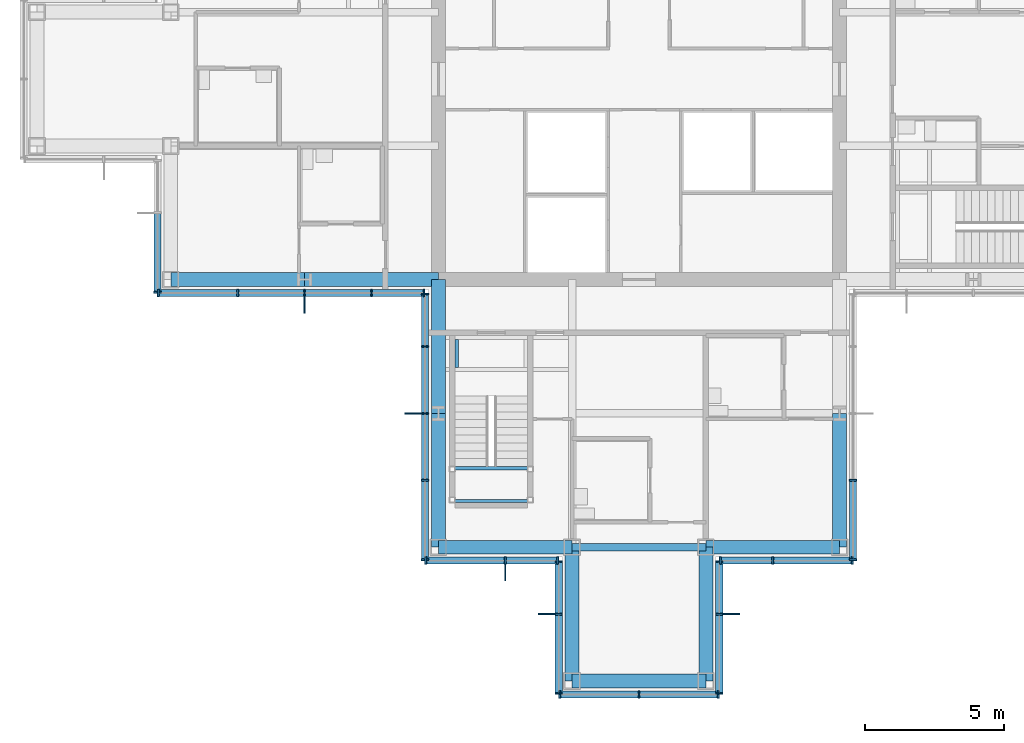
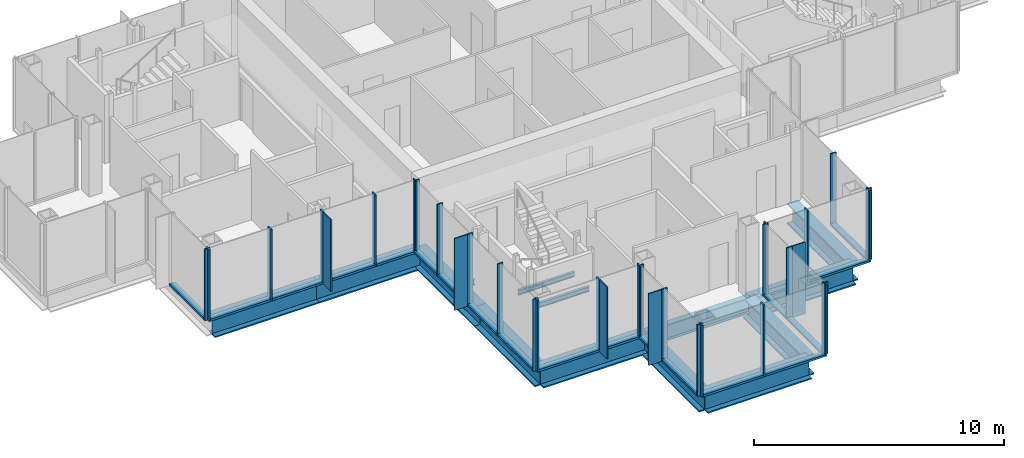
# One storey, part 5 of 15: 53 members, 14 beams, 9 elements without a shape of their own.
"""IFC4 building model written with IfcOpenShell, lengths in metres."""

from ifc_helpers import new_model, si_unit, direction, frame, origin, origin_2d, place, context, subcontext, project, spatial, rectangle, i_section, extrude, material, material_profile, profile_set, type_object, element, aggregate, save


model = new_model("IFC4")

# Units and contexts
model_context = context("Model", 3, precision=1e-05, world=origin(), true_north=direction((0.0, 1.0)))
body_context = subcontext(model_context, "Body", "Model", "MODEL_VIEW")
ifc_project = project(units=[si_unit("LENGTHUNIT", "METRE"), si_unit("AREAUNIT", "SQUARE_METRE"), si_unit("VOLUMEUNIT", "CUBIC_METRE"), si_unit("PLANEANGLEUNIT", "RADIAN"), si_unit("MASSUNIT", "GRAM", prefix="KILO")], contexts=[model_context])

# Site, building, storey
site_placement = place(None, origin())
site = spatial("IfcSite", under=ifc_project, at=site_placement, CompositionType="ELEMENT")
building_placement = place(site_placement, origin())
building = spatial("IfcBuilding", under=site, at=building_placement, Name="Kvirike Care Tower", CompositionType="ELEMENT")
storey_placement = place(building_placement, frame((0.0, 0.0, 226.0)))
storey = spatial("IfcBuildingStorey", under=building, at=storey_placement, Name="L62", CompositionType="ELEMENT", Elevation=226.0)

# Curtain wall, member
ifc_material_1 = material(Name="Anodised aluminium stick system", Category="aluminium")
curtain_wall_type = type_object("IfcCurtainWallType", Name="CW-D STICK CURTAIN WALL", PredefinedType="NOTDEFINED", material=ifc_material_1)
curtain_wall_1_placement = place(storey_placement, origin())
curtain_wall_1 = element("IfcCurtainWall", 1, at=curtain_wall_1_placement, inside=storey, type_object=curtain_wall_type, Name="Curtain wall L62 face 13", PredefinedType="NOTDEFINED")
ifc_material_2 = material(Name="Bronze anodised aluminium fin", Category="aluminium")
ifc_material_profile_1 = material_profile(ifc_material_2, rectangle(XDim=0.050048828125, YDim=0.60009765625, at=origin_2d()), Name="BRONZE FIN 600")
ifc_profile_set_1 = profile_set([ifc_material_profile_1], Name="Bronze anodised aluminium fin")
member_type_1 = type_object("IfcMemberType", Name="BRONZE FIN 600", PredefinedType="USERDEFINED", material=ifc_profile_set_1)
member_1_placement = place(storey_placement, frame((9.60009765625, 27.889892578125, 0.0), z_axis=(0.0, 0.0, 1.0), x_axis=(1.0, 0.0, 0.0)))
member_1 = element("IfcMember", 2, at=member_1_placement, type_object=member_type_1, Name="Bronze fin L62 face 13.3", ObjectType="FIN", PredefinedType="USERDEFINED", context=body_context, shape_type="SweptSolid", body=[
    extrude(rectangle(XDim=0.050048828125, YDim=0.60009765625, at=origin_2d()), origin(), (0.0, 0.0, 1.0), 3.5),
])

curtain_wall_2_placement = place(storey_placement, origin())
curtain_wall_2 = element("IfcCurtainWall", 3, at=curtain_wall_2_placement, inside=storey, type_object=curtain_wall_type, Name="Curtain wall L62 face 14", PredefinedType="NOTDEFINED")
member_2_placement = place(storey_placement, frame((13.489990234375, 24.0, 0.0), z_axis=(0.0, 0.0, 1.0), x_axis=(0.0, -1.0, 0.0)))
member_2 = element("IfcMember", 4, at=member_2_placement, type_object=member_type_1, Name="Bronze fin L62 face 14.3", ObjectType="FIN", PredefinedType="USERDEFINED", context=body_context, shape_type="SweptSolid", body=[
    extrude(rectangle(XDim=0.050048828125, YDim=0.60009765625, at=origin_2d()), origin(), (0.0, 0.0, 1.0), 3.5),
])

curtain_wall_3_placement = place(storey_placement, origin())
curtain_wall_3 = element("IfcCurtainWall", 5, at=curtain_wall_3_placement, inside=storey, type_object=curtain_wall_type, Name="Curtain wall L62 face 15", PredefinedType="NOTDEFINED")
member_3_placement = place(storey_placement, frame((16.800048828125, 18.2900390625, 0.0), z_axis=(0.0, 0.0, 1.0), x_axis=(1.0, 0.0, 0.0)))
member_3 = element("IfcMember", 6, at=member_3_placement, type_object=member_type_1, Name="Bronze fin L62 face 15.2", ObjectType="FIN", PredefinedType="USERDEFINED", context=body_context, shape_type="SweptSolid", body=[
    extrude(rectangle(XDim=0.050048828125, YDim=0.60009765625, at=origin_2d()), origin(), (0.0, 0.0, 1.0), 3.5),
])

curtain_wall_4_placement = place(storey_placement, origin())
curtain_wall_4 = element("IfcCurtainWall", 7, at=curtain_wall_4_placement, inside=storey, type_object=curtain_wall_type, Name="Curtain wall L62 face 16", PredefinedType="NOTDEFINED")
member_4_placement = place(storey_placement, frame((18.2900390625, 16.800048828125, 0.0), z_axis=(0.0, 0.0, 1.0), x_axis=(0.0, -1.0, 0.0)))
member_4 = element("IfcMember", 8, at=member_4_placement, type_object=member_type_1, Name="Bronze fin L62 face 16.2", ObjectType="FIN", PredefinedType="USERDEFINED", context=body_context, shape_type="SweptSolid", body=[
    extrude(rectangle(XDim=0.050048828125, YDim=0.60009765625, at=origin_2d()), origin(), (0.0, 0.0, 1.0), 3.5),
])

curtain_wall_5_placement = place(storey_placement, origin())
curtain_wall_5 = element("IfcCurtainWall", 9, at=curtain_wall_5_placement, inside=storey, type_object=curtain_wall_type, Name="Curtain wall L62 face 18", PredefinedType="NOTDEFINED")
member_5_placement = place(storey_placement, frame((24.909912109375, 16.800048828125, 0.0), z_axis=(0.0, 0.0, 1.0), x_axis=(0.0, 1.0, 0.0)))
member_5 = element("IfcMember", 10, at=member_5_placement, type_object=member_type_1, Name="Bronze fin L62 face 18.2", ObjectType="FIN", PredefinedType="USERDEFINED", context=body_context, shape_type="SweptSolid", body=[
    extrude(rectangle(XDim=0.050048828125, YDim=0.60009765625, at=origin_2d()), origin(), (0.0, 0.0, 1.0), 3.5),
])

curtain_wall_6_placement = place(storey_placement, origin())
curtain_wall_6 = element("IfcCurtainWall", 11, at=curtain_wall_6_placement, inside=storey, type_object=curtain_wall_type, Name="Curtain wall L62 face 12", PredefinedType="NOTDEFINED")
ifc_material_3 = material(Name="Bronze anodised aluminium mullion", Category="aluminium")
ifc_material_profile_2 = material_profile(ifc_material_3, rectangle(XDim=0.06494140625, YDim=0.260009765625, at=origin_2d()), Name="CW-D MULLION 65x260")
ifc_profile_set_2 = profile_set([ifc_material_profile_2], Name="Bronze anodised aluminium mullion")
member_type_2 = type_object("IfcMemberType", Name="CW-D MULLION 65x260", PredefinedType="MULLION", material=ifc_profile_set_2)
member_6_placement = place(storey_placement, frame((4.320068359375, 28.3525390625, 0.0), z_axis=(0.0, 0.0, 1.0), x_axis=(0.0, -1.0, 0.0)))
member_6 = element("IfcMember", 12, at=member_6_placement, type_object=member_type_2, Name="CW-D mullion L62 face 12.3", PredefinedType="MULLION", context=body_context, shape_type="SweptSolid", body=[
    extrude(rectangle(XDim=0.06494140625, YDim=0.260009765625, at=origin_2d()), origin(), (0.0, 0.0, 1.0), 3.5),
])

# Member
member_7_placement = place(storey_placement, frame((4.3525390625, 28.320068359375, 0.0), z_axis=(0.0, 0.0, 1.0), x_axis=(1.0, 0.0, 0.0)))
member_7 = element("IfcMember", 13, at=member_7_placement, type_object=member_type_2, Name="CW-D mullion L62 face 13.1", PredefinedType="MULLION", context=body_context, shape_type="SweptSolid", body=[
    extrude(rectangle(XDim=0.06494140625, YDim=0.260009765625, at=origin_2d()), origin(), (0.0, 0.0, 1.0), 3.5),
])

member_8_placement = place(storey_placement, frame((7.199951171875, 28.320068359375, 0.0), z_axis=(0.0, 0.0, 1.0), x_axis=(1.0, 0.0, 0.0)))
member_8 = element("IfcMember", 14, at=member_8_placement, type_object=member_type_2, Name="CW-D mullion L62 face 13.2", PredefinedType="MULLION", context=body_context, shape_type="SweptSolid", body=[
    extrude(rectangle(XDim=0.06494140625, YDim=0.260009765625, at=origin_2d()), origin(), (0.0, 0.0, 1.0), 3.5),
])

member_9_placement = place(storey_placement, frame((9.60009765625, 28.320068359375, 0.0), z_axis=(0.0, 0.0, 1.0), x_axis=(1.0, 0.0, 0.0)))
member_9 = element("IfcMember", 15, at=member_9_placement, type_object=member_type_2, Name="CW-D mullion L62 face 13.3", PredefinedType="MULLION", context=body_context, shape_type="SweptSolid", body=[
    extrude(rectangle(XDim=0.06494140625, YDim=0.260009765625, at=origin_2d()), origin(), (0.0, 0.0, 1.0), 3.5),
])

member_10_placement = place(storey_placement, frame((12.0, 28.320068359375, 0.0), z_axis=(0.0, 0.0, 1.0), x_axis=(1.0, 0.0, 0.0)))
member_10 = element("IfcMember", 16, at=member_10_placement, type_object=member_type_2, Name="CW-D mullion L62 face 13.4", PredefinedType="MULLION", context=body_context, shape_type="SweptSolid", body=[
    extrude(rectangle(XDim=0.06494140625, YDim=0.260009765625, at=origin_2d()), origin(), (0.0, 0.0, 1.0), 3.5),
])

member_11_placement = place(storey_placement, frame((13.887451171875, 28.320068359375, 0.0), z_axis=(0.0, 0.0, 1.0), x_axis=(1.0, 0.0, 0.0)))
member_11 = element("IfcMember", 17, at=member_11_placement, type_object=member_type_2, Name="CW-D mullion L62 face 13.5", PredefinedType="MULLION", context=body_context, shape_type="SweptSolid", body=[
    extrude(rectangle(XDim=0.06494140625, YDim=0.260009765625, at=origin_2d()), origin(), (0.0, 0.0, 1.0), 3.5),
])

member_12_placement = place(storey_placement, frame((13.919921875, 28.28759765625, 0.0), z_axis=(0.0, 0.0, 1.0), x_axis=(0.0, -1.0, 0.0)))
member_12 = element("IfcMember", 18, at=member_12_placement, type_object=member_type_2, Name="CW-D mullion L62 face 14.1", PredefinedType="MULLION", context=body_context, shape_type="SweptSolid", body=[
    extrude(rectangle(XDim=0.06494140625, YDim=0.260009765625, at=origin_2d()), origin(), (0.0, 0.0, 1.0), 3.5),
])

member_13_placement = place(storey_placement, frame((13.919921875, 26.39990234375, 0.0), z_axis=(0.0, 0.0, 1.0), x_axis=(0.0, -1.0, 0.0)))
member_13 = element("IfcMember", 19, at=member_13_placement, type_object=member_type_2, Name="CW-D mullion L62 face 14.2", PredefinedType="MULLION", context=body_context, shape_type="SweptSolid", body=[
    extrude(rectangle(XDim=0.06494140625, YDim=0.260009765625, at=origin_2d()), origin(), (0.0, 0.0, 1.0), 3.5),
])

member_14_placement = place(storey_placement, frame((13.919921875, 24.0, 0.0), z_axis=(0.0, 0.0, 1.0), x_axis=(0.0, -1.0, 0.0)))
member_14 = element("IfcMember", 20, at=member_14_placement, type_object=member_type_2, Name="CW-D mullion L62 face 14.3", PredefinedType="MULLION", context=body_context, shape_type="SweptSolid", body=[
    extrude(rectangle(XDim=0.06494140625, YDim=0.260009765625, at=origin_2d()), origin(), (0.0, 0.0, 1.0), 3.5),
])

member_15_placement = place(storey_placement, frame((13.919921875, 21.60009765625, 0.0), z_axis=(0.0, 0.0, 1.0), x_axis=(0.0, -1.0, 0.0)))
member_15 = element("IfcMember", 21, at=member_15_placement, type_object=member_type_2, Name="CW-D mullion L62 face 14.4", PredefinedType="MULLION", context=body_context, shape_type="SweptSolid", body=[
    extrude(rectangle(XDim=0.06494140625, YDim=0.260009765625, at=origin_2d()), origin(), (0.0, 0.0, 1.0), 3.5),
])

member_16_placement = place(storey_placement, frame((13.919921875, 18.75244140625, 0.0), z_axis=(0.0, 0.0, 1.0), x_axis=(0.0, -1.0, 0.0)))
member_16 = element("IfcMember", 22, at=member_16_placement, type_object=member_type_2, Name="CW-D mullion L62 face 14.5", PredefinedType="MULLION", context=body_context, shape_type="SweptSolid", body=[
    extrude(rectangle(XDim=0.06494140625, YDim=0.260009765625, at=origin_2d()), origin(), (0.0, 0.0, 1.0), 3.5),
])

member_17_placement = place(storey_placement, frame((13.952392578125, 18.719970703125, 0.0), z_axis=(0.0, 0.0, 1.0), x_axis=(1.0, 0.0, 0.0)))
member_17 = element("IfcMember", 23, at=member_17_placement, type_object=member_type_2, Name="CW-D mullion L62 face 15.1", PredefinedType="MULLION", context=body_context, shape_type="SweptSolid", body=[
    extrude(rectangle(XDim=0.06494140625, YDim=0.260009765625, at=origin_2d()), origin(), (0.0, 0.0, 1.0), 3.5),
])

member_18_placement = place(storey_placement, frame((16.800048828125, 18.719970703125, 0.0), z_axis=(0.0, 0.0, 1.0), x_axis=(1.0, 0.0, 0.0)))
member_18 = element("IfcMember", 24, at=member_18_placement, type_object=member_type_2, Name="CW-D mullion L62 face 15.2", PredefinedType="MULLION", context=body_context, shape_type="SweptSolid", body=[
    extrude(rectangle(XDim=0.06494140625, YDim=0.260009765625, at=origin_2d()), origin(), (0.0, 0.0, 1.0), 3.5),
])

member_19_placement = place(storey_placement, frame((18.6875, 18.719970703125, 0.0), z_axis=(0.0, 0.0, 1.0), x_axis=(1.0, 0.0, 0.0)))
member_19 = element("IfcMember", 25, at=member_19_placement, type_object=member_type_2, Name="CW-D mullion L62 face 15.3", PredefinedType="MULLION", context=body_context, shape_type="SweptSolid", body=[
    extrude(rectangle(XDim=0.06494140625, YDim=0.260009765625, at=origin_2d()), origin(), (0.0, 0.0, 1.0), 3.5),
])

member_20_placement = place(storey_placement, frame((18.719970703125, 18.6875, 0.0), z_axis=(0.0, 0.0, 1.0), x_axis=(0.0, -1.0, 0.0)))
member_20 = element("IfcMember", 26, at=member_20_placement, type_object=member_type_2, Name="CW-D mullion L62 face 16.1", PredefinedType="MULLION", context=body_context, shape_type="SweptSolid", body=[
    extrude(rectangle(XDim=0.06494140625, YDim=0.260009765625, at=origin_2d()), origin(), (0.0, 0.0, 1.0), 3.5),
])

member_21_placement = place(storey_placement, frame((18.719970703125, 16.800048828125, 0.0), z_axis=(0.0, 0.0, 1.0), x_axis=(0.0, -1.0, 0.0)))
member_21 = element("IfcMember", 27, at=member_21_placement, type_object=member_type_2, Name="CW-D mullion L62 face 16.2", PredefinedType="MULLION", context=body_context, shape_type="SweptSolid", body=[
    extrude(rectangle(XDim=0.06494140625, YDim=0.260009765625, at=origin_2d()), origin(), (0.0, 0.0, 1.0), 3.5),
])

member_22_placement = place(storey_placement, frame((18.719970703125, 13.952392578125, 0.0), z_axis=(0.0, 0.0, 1.0), x_axis=(0.0, -1.0, 0.0)))
member_22 = element("IfcMember", 28, at=member_22_placement, type_object=member_type_2, Name="CW-D mullion L62 face 16.3", PredefinedType="MULLION", context=body_context, shape_type="SweptSolid", body=[
    extrude(rectangle(XDim=0.06494140625, YDim=0.260009765625, at=origin_2d()), origin(), (0.0, 0.0, 1.0), 3.5),
])

# Curtain wall, members
curtain_wall_7_placement = place(storey_placement, origin())
curtain_wall_7 = element("IfcCurtainWall", 29, at=curtain_wall_7_placement, inside=storey, type_object=curtain_wall_type, Name="Curtain wall L62 face 17", PredefinedType="NOTDEFINED")
member_23_placement = place(storey_placement, frame((18.75244140625, 13.919921875, 0.0), z_axis=(0.0, 0.0, 1.0), x_axis=(1.0, 0.0, 0.0)))
member_23 = element("IfcMember", 30, at=member_23_placement, type_object=member_type_2, Name="CW-D mullion L62 face 17.1", PredefinedType="MULLION", context=body_context, shape_type="SweptSolid", body=[
    extrude(rectangle(XDim=0.06494140625, YDim=0.260009765625, at=origin_2d()), origin(), (0.0, 0.0, 1.0), 3.5),
])
member_24_placement = place(storey_placement, frame((21.60009765625, 13.919921875, 0.0), z_axis=(0.0, 0.0, 1.0), x_axis=(1.0, 0.0, 0.0)))
member_24 = element("IfcMember", 31, at=member_24_placement, type_object=member_type_2, Name="CW-D mullion L62 face 17.2", PredefinedType="MULLION", context=body_context, shape_type="SweptSolid", body=[
    extrude(rectangle(XDim=0.06494140625, YDim=0.260009765625, at=origin_2d()), origin(), (0.0, 0.0, 1.0), 3.5),
])
member_25_placement = place(storey_placement, frame((24.447509765625, 13.919921875, 0.0), z_axis=(0.0, 0.0, 1.0), x_axis=(1.0, 0.0, 0.0)))
member_25 = element("IfcMember", 32, at=member_25_placement, type_object=member_type_2, Name="CW-D mullion L62 face 17.3", PredefinedType="MULLION", context=body_context, shape_type="SweptSolid", body=[
    extrude(rectangle(XDim=0.06494140625, YDim=0.260009765625, at=origin_2d()), origin(), (0.0, 0.0, 1.0), 3.5),
])

# Member
member_26_placement = place(storey_placement, frame((24.47998046875, 13.952392578125, 0.0), z_axis=(0.0, 0.0, 1.0), x_axis=(0.0, 1.0, 0.0)))
member_26 = element("IfcMember", 33, at=member_26_placement, type_object=member_type_2, Name="CW-D mullion L62 face 18.1", PredefinedType="MULLION", context=body_context, shape_type="SweptSolid", body=[
    extrude(rectangle(XDim=0.06494140625, YDim=0.260009765625, at=origin_2d()), origin(), (0.0, 0.0, 1.0), 3.5),
])

member_27_placement = place(storey_placement, frame((24.47998046875, 16.800048828125, 0.0), z_axis=(0.0, 0.0, 1.0), x_axis=(0.0, 1.0, 0.0)))
member_27 = element("IfcMember", 34, at=member_27_placement, type_object=member_type_2, Name="CW-D mullion L62 face 18.2", PredefinedType="MULLION", context=body_context, shape_type="SweptSolid", body=[
    extrude(rectangle(XDim=0.06494140625, YDim=0.260009765625, at=origin_2d()), origin(), (0.0, 0.0, 1.0), 3.5),
])

member_28_placement = place(storey_placement, frame((24.47998046875, 18.6875, 0.0), z_axis=(0.0, 0.0, 1.0), x_axis=(0.0, 1.0, 0.0)))
member_28 = element("IfcMember", 35, at=member_28_placement, type_object=member_type_2, Name="CW-D mullion L62 face 18.3", PredefinedType="MULLION", context=body_context, shape_type="SweptSolid", body=[
    extrude(rectangle(XDim=0.06494140625, YDim=0.260009765625, at=origin_2d()), origin(), (0.0, 0.0, 1.0), 3.5),
])

# Curtain wall, members
curtain_wall_8_placement = place(storey_placement, origin())
curtain_wall_8 = element("IfcCurtainWall", 36, at=curtain_wall_8_placement, inside=storey, type_object=curtain_wall_type, Name="Curtain wall L62 face 19", PredefinedType="NOTDEFINED")
member_29_placement = place(storey_placement, frame((24.512451171875, 18.719970703125, 0.0), z_axis=(0.0, 0.0, 1.0), x_axis=(1.0, 0.0, 0.0)))
member_29 = element("IfcMember", 37, at=member_29_placement, type_object=member_type_2, Name="CW-D mullion L62 face 19.1", PredefinedType="MULLION", context=body_context, shape_type="SweptSolid", body=[
    extrude(rectangle(XDim=0.06494140625, YDim=0.260009765625, at=origin_2d()), origin(), (0.0, 0.0, 1.0), 3.5),
])
member_30_placement = place(storey_placement, frame((26.39990234375, 18.719970703125, 0.0), z_axis=(0.0, 0.0, 1.0), x_axis=(1.0, 0.0, 0.0)))
member_30 = element("IfcMember", 38, at=member_30_placement, type_object=member_type_2, Name="CW-D mullion L62 face 19.2", PredefinedType="MULLION", context=body_context, shape_type="SweptSolid", body=[
    extrude(rectangle(XDim=0.06494140625, YDim=0.260009765625, at=origin_2d()), origin(), (0.0, 0.0, 1.0), 3.5),
])
member_31_placement = place(storey_placement, frame((29.24755859375, 18.719970703125, 0.0), z_axis=(0.0, 0.0, 1.0), x_axis=(1.0, 0.0, 0.0)))
member_31 = element("IfcMember", 39, at=member_31_placement, type_object=member_type_2, Name="CW-D mullion L62 face 19.3", PredefinedType="MULLION", context=body_context, shape_type="SweptSolid", body=[
    extrude(rectangle(XDim=0.06494140625, YDim=0.260009765625, at=origin_2d()), origin(), (0.0, 0.0, 1.0), 3.5),
])

curtain_wall_9_placement = place(storey_placement, origin())
curtain_wall_9 = element("IfcCurtainWall", 40, at=curtain_wall_9_placement, inside=storey, type_object=curtain_wall_type, Name="Curtain wall L62 face 20", PredefinedType="NOTDEFINED")
member_32_placement = place(storey_placement, frame((29.280029296875, 18.75244140625, 0.0), z_axis=(0.0, 0.0, 1.0), x_axis=(0.0, 1.0, 0.0)))
member_32 = element("IfcMember", 41, at=member_32_placement, type_object=member_type_2, Name="CW-D mullion L62 face 20.1", PredefinedType="MULLION", context=body_context, shape_type="SweptSolid", body=[
    extrude(rectangle(XDim=0.06494140625, YDim=0.260009765625, at=origin_2d()), origin(), (0.0, 0.0, 1.0), 3.5),
])
member_33_placement = place(storey_placement, frame((29.280029296875, 21.60009765625, 0.0), z_axis=(0.0, 0.0, 1.0), x_axis=(0.0, 1.0, 0.0)))
member_33 = element("IfcMember", 42, at=member_33_placement, type_object=member_type_2, Name="CW-D mullion L62 face 20.2", PredefinedType="MULLION", context=body_context, shape_type="SweptSolid", body=[
    extrude(rectangle(XDim=0.06494140625, YDim=0.260009765625, at=origin_2d()), origin(), (0.0, 0.0, 1.0), 3.5),
])

# Member
ifc_material_4 = material(Name="Bronze anodised aluminium transom", Category="aluminium")
ifc_material_profile_3 = material_profile(ifc_material_4, rectangle(XDim=0.260009765625, YDim=0.10009765625, at=origin_2d()), Name="CW-D TRANSOM 260x100")
ifc_profile_set_3 = profile_set([ifc_material_profile_3], Name="Bronze anodised aluminium transom")
member_type_3 = type_object("IfcMemberType", Name="CW-D TRANSOM 260x100", PredefinedType="USERDEFINED", material=ifc_profile_set_3)
member_34_placement = place(storey_placement, frame((4.320068359375, 31.16748046875, 0.050048828125), z_axis=(0.0, -1.0, 0.0), x_axis=(1.0, 0.0, 0.0)))
member_34 = element("IfcMember", 43, at=member_34_placement, type_object=member_type_3, Name="CW-D sill transom L62 face 12.2", ObjectType="TRANSOM", PredefinedType="USERDEFINED", context=body_context, shape_type="SweptSolid", body=[
    extrude(rectangle(XDim=0.260009765625, YDim=0.10009765625, at=origin_2d()), origin(), (0.0, 0.0, 1.0), 2.782470703125),
])

aggregate(curtain_wall_6, [member_6, member_34])

member_35_placement = place(storey_placement, frame((4.385009765625, 28.320068359375, 0.050048828125), z_axis=(1.0, 0.0, 0.0), x_axis=(0.0, 1.0, 0.0)))
member_35 = element("IfcMember", 44, at=member_35_placement, type_object=member_type_3, Name="CW-D sill transom L62 face 13.1", ObjectType="TRANSOM", PredefinedType="USERDEFINED", context=body_context, shape_type="SweptSolid", body=[
    extrude(rectangle(XDim=0.260009765625, YDim=0.10009765625, at=origin_2d()), origin(), (0.0, 0.0, 1.0), 2.782470703125),
])

member_36_placement = place(storey_placement, frame((7.232421875, 28.320068359375, 0.050048828125), z_axis=(1.0, 0.0, 0.0), x_axis=(0.0, 1.0, 0.0)))
member_36 = element("IfcMember", 45, at=member_36_placement, type_object=member_type_3, Name="CW-D sill transom L62 face 13.2", ObjectType="TRANSOM", PredefinedType="USERDEFINED", context=body_context, shape_type="SweptSolid", body=[
    extrude(rectangle(XDim=0.260009765625, YDim=0.10009765625, at=origin_2d()), origin(), (0.0, 0.0, 1.0), 2.3349609375),
])

member_37_placement = place(storey_placement, frame((9.632568359375, 28.320068359375, 0.050048828125), z_axis=(1.0, 0.0, 0.0), x_axis=(0.0, 1.0, 0.0)))
member_37 = element("IfcMember", 46, at=member_37_placement, type_object=member_type_3, Name="CW-D sill transom L62 face 13.3", ObjectType="TRANSOM", PredefinedType="USERDEFINED", context=body_context, shape_type="SweptSolid", body=[
    extrude(rectangle(XDim=0.260009765625, YDim=0.10009765625, at=origin_2d()), origin(), (0.0, 0.0, 1.0), 2.3349609375),
])

member_38_placement = place(storey_placement, frame((12.032470703125, 28.320068359375, 0.050048828125), z_axis=(1.0, 0.0, 0.0), x_axis=(0.0, 1.0, 0.0)))
member_38 = element("IfcMember", 47, at=member_38_placement, type_object=member_type_3, Name="CW-D sill transom L62 face 13.4", ObjectType="TRANSOM", PredefinedType="USERDEFINED", context=body_context, shape_type="SweptSolid", body=[
    extrude(rectangle(XDim=0.260009765625, YDim=0.10009765625, at=origin_2d()), origin(), (0.0, 0.0, 1.0), 1.822509765625),
])

aggregate(curtain_wall_1, [member_7, member_8, member_9, member_1, member_10, member_11, member_35, member_36, member_37, member_38])

member_39_placement = place(storey_placement, frame((13.919921875, 28.2548828125, 0.050048828125), z_axis=(0.0, -1.0, 0.0), x_axis=(1.0, 0.0, 0.0)))
member_39 = element("IfcMember", 48, at=member_39_placement, type_object=member_type_3, Name="CW-D sill transom L62 face 14.1", ObjectType="TRANSOM", PredefinedType="USERDEFINED", context=body_context, shape_type="SweptSolid", body=[
    extrude(rectangle(XDim=0.260009765625, YDim=0.10009765625, at=origin_2d()), origin(), (0.0, 0.0, 1.0), 1.822265625),
])

member_40_placement = place(storey_placement, frame((13.919921875, 26.367431640625, 0.050048828125), z_axis=(0.0, -1.0, 0.0), x_axis=(1.0, 0.0, 0.0)))
member_40 = element("IfcMember", 49, at=member_40_placement, type_object=member_type_3, Name="CW-D sill transom L62 face 14.2", ObjectType="TRANSOM", PredefinedType="USERDEFINED", context=body_context, shape_type="SweptSolid", body=[
    extrude(rectangle(XDim=0.260009765625, YDim=0.10009765625, at=origin_2d()), origin(), (0.0, 0.0, 1.0), 2.3349609375),
])

member_41_placement = place(storey_placement, frame((13.919921875, 23.967529296875, 0.050048828125), z_axis=(0.0, -1.0, 0.0), x_axis=(1.0, 0.0, 0.0)))
member_41 = element("IfcMember", 50, at=member_41_placement, type_object=member_type_3, Name="CW-D sill transom L62 face 14.3", ObjectType="TRANSOM", PredefinedType="USERDEFINED", context=body_context, shape_type="SweptSolid", body=[
    extrude(rectangle(XDim=0.260009765625, YDim=0.10009765625, at=origin_2d()), origin(), (0.0, 0.0, 1.0), 2.3349609375),
])

member_42_placement = place(storey_placement, frame((13.919921875, 21.5673828125, 0.050048828125), z_axis=(0.0, -1.0, 0.0), x_axis=(1.0, 0.0, 0.0)))
member_42 = element("IfcMember", 51, at=member_42_placement, type_object=member_type_3, Name="CW-D sill transom L62 face 14.4", ObjectType="TRANSOM", PredefinedType="USERDEFINED", context=body_context, shape_type="SweptSolid", body=[
    extrude(rectangle(XDim=0.260009765625, YDim=0.10009765625, at=origin_2d()), origin(), (0.0, 0.0, 1.0), 2.782470703125),
])

aggregate(curtain_wall_2, [member_12, member_13, member_14, member_2, member_15, member_16, member_39, member_40, member_41, member_42])

member_43_placement = place(storey_placement, frame((13.985107421875, 18.719970703125, 0.050048828125), z_axis=(1.0, 0.0, 0.0), x_axis=(0.0, 1.0, 0.0)))
member_43 = element("IfcMember", 52, at=member_43_placement, type_object=member_type_3, Name="CW-D sill transom L62 face 15.1", ObjectType="TRANSOM", PredefinedType="USERDEFINED", context=body_context, shape_type="SweptSolid", body=[
    extrude(rectangle(XDim=0.260009765625, YDim=0.10009765625, at=origin_2d()), origin(), (0.0, 0.0, 1.0), 2.782470703125),
])

member_44_placement = place(storey_placement, frame((16.83251953125, 18.719970703125, 0.050048828125), z_axis=(1.0, 0.0, 0.0), x_axis=(0.0, 1.0, 0.0)))
member_44 = element("IfcMember", 53, at=member_44_placement, type_object=member_type_3, Name="CW-D sill transom L62 face 15.2", ObjectType="TRANSOM", PredefinedType="USERDEFINED", context=body_context, shape_type="SweptSolid", body=[
    extrude(rectangle(XDim=0.260009765625, YDim=0.10009765625, at=origin_2d()), origin(), (0.0, 0.0, 1.0), 1.822509765625),
])

aggregate(curtain_wall_3, [member_17, member_18, member_3, member_19, member_43, member_44])

member_45_placement = place(storey_placement, frame((18.719970703125, 18.655029296875, 0.050048828125), z_axis=(0.0, -1.0, 0.0), x_axis=(1.0, 0.0, 0.0)))
member_45 = element("IfcMember", 54, at=member_45_placement, type_object=member_type_3, Name="CW-D sill transom L62 face 16.1", ObjectType="TRANSOM", PredefinedType="USERDEFINED", context=body_context, shape_type="SweptSolid", body=[
    extrude(rectangle(XDim=0.260009765625, YDim=0.10009765625, at=origin_2d()), origin(), (0.0, 0.0, 1.0), 1.822509765625),
])

member_46_placement = place(storey_placement, frame((18.719970703125, 16.767578125, 0.050048828125), z_axis=(0.0, -1.0, 0.0), x_axis=(1.0, 0.0, 0.0)))
member_46 = element("IfcMember", 55, at=member_46_placement, type_object=member_type_3, Name="CW-D sill transom L62 face 16.2", ObjectType="TRANSOM", PredefinedType="USERDEFINED", context=body_context, shape_type="SweptSolid", body=[
    extrude(rectangle(XDim=0.260009765625, YDim=0.10009765625, at=origin_2d()), origin(), (0.0, 0.0, 1.0), 2.782470703125),
])

aggregate(curtain_wall_4, [member_20, member_21, member_4, member_22, member_45, member_46])

member_47_placement = place(storey_placement, frame((18.784912109375, 13.919921875, 0.050048828125), z_axis=(1.0, 0.0, 0.0), x_axis=(0.0, 1.0, 0.0)))
member_47 = element("IfcMember", 56, at=member_47_placement, type_object=member_type_3, Name="CW-D sill transom L62 face 17.1", ObjectType="TRANSOM", PredefinedType="USERDEFINED", context=body_context, shape_type="SweptSolid", body=[
    extrude(rectangle(XDim=0.260009765625, YDim=0.10009765625, at=origin_2d()), origin(), (0.0, 0.0, 1.0), 2.782470703125),
])

member_48_placement = place(storey_placement, frame((21.632568359375, 13.919921875, 0.050048828125), z_axis=(1.0, 0.0, 0.0), x_axis=(0.0, 1.0, 0.0)))
member_48 = element("IfcMember", 57, at=member_48_placement, type_object=member_type_3, Name="CW-D sill transom L62 face 17.2", ObjectType="TRANSOM", PredefinedType="USERDEFINED", context=body_context, shape_type="SweptSolid", body=[
    extrude(rectangle(XDim=0.260009765625, YDim=0.10009765625, at=origin_2d()), origin(), (0.0, 0.0, 1.0), 2.782470703125),
])

aggregate(curtain_wall_7, [member_23, member_24, member_25, member_47, member_48])

member_49_placement = place(storey_placement, frame((24.47998046875, 13.985107421875, 0.050048828125), z_axis=(0.0, 1.0, 0.0), x_axis=(-1.0, 0.0, 0.0)))
member_49 = element("IfcMember", 58, at=member_49_placement, type_object=member_type_3, Name="CW-D sill transom L62 face 18.1", ObjectType="TRANSOM", PredefinedType="USERDEFINED", context=body_context, shape_type="SweptSolid", body=[
    extrude(rectangle(XDim=0.260009765625, YDim=0.10009765625, at=origin_2d()), origin(), (0.0, 0.0, 1.0), 2.782470703125),
])

member_50_placement = place(storey_placement, frame((24.47998046875, 16.83251953125, 0.050048828125), z_axis=(0.0, 1.0, 0.0), x_axis=(-1.0, 0.0, 0.0)))
member_50 = element("IfcMember", 59, at=member_50_placement, type_object=member_type_3, Name="CW-D sill transom L62 face 18.2", ObjectType="TRANSOM", PredefinedType="USERDEFINED", context=body_context, shape_type="SweptSolid", body=[
    extrude(rectangle(XDim=0.260009765625, YDim=0.10009765625, at=origin_2d()), origin(), (0.0, 0.0, 1.0), 1.822509765625),
])

aggregate(curtain_wall_5, [member_26, member_27, member_5, member_28, member_49, member_50])

member_51_placement = place(storey_placement, frame((24.544921875, 18.719970703125, 0.050048828125), z_axis=(1.0, 0.0, 0.0), x_axis=(0.0, 1.0, 0.0)))
member_51 = element("IfcMember", 60, at=member_51_placement, type_object=member_type_3, Name="CW-D sill transom L62 face 19.1", ObjectType="TRANSOM", PredefinedType="USERDEFINED", context=body_context, shape_type="SweptSolid", body=[
    extrude(rectangle(XDim=0.260009765625, YDim=0.10009765625, at=origin_2d()), origin(), (0.0, 0.0, 1.0), 1.822509765625),
])

member_52_placement = place(storey_placement, frame((26.4326171875, 18.719970703125, 0.050048828125), z_axis=(1.0, 0.0, 0.0), x_axis=(0.0, 1.0, 0.0)))
member_52 = element("IfcMember", 61, at=member_52_placement, type_object=member_type_3, Name="CW-D sill transom L62 face 19.2", ObjectType="TRANSOM", PredefinedType="USERDEFINED", context=body_context, shape_type="SweptSolid", body=[
    extrude(rectangle(XDim=0.260009765625, YDim=0.10009765625, at=origin_2d()), origin(), (0.0, 0.0, 1.0), 2.782470703125),
])

aggregate(curtain_wall_8, [member_29, member_30, member_31, member_51, member_52])

member_53_placement = place(storey_placement, frame((29.280029296875, 18.784912109375, 0.050048828125), z_axis=(0.0, 1.0, 0.0), x_axis=(-1.0, 0.0, 0.0)))
member_53 = element("IfcMember", 62, at=member_53_placement, type_object=member_type_3, Name="CW-D sill transom L62 face 20.1", ObjectType="TRANSOM", PredefinedType="USERDEFINED", context=body_context, shape_type="SweptSolid", body=[
    extrude(rectangle(XDim=0.260009765625, YDim=0.10009765625, at=origin_2d()), origin(), (0.0, 0.0, 1.0), 2.782470703125),
])

aggregate(curtain_wall_9, [member_32, member_33, member_53])

# Beams
ifc_material_5 = material(Name="Steel S355", Category="steel")
ifc_material_profile_4 = material_profile(ifc_material_5, i_section(OverallWidth=0.26806640625, OverallDepth=0.77001953125, WebThickness=0.015625, FlangeThickness=0.025390625, FilletRadius=0.01708984375, at=origin_2d()), Name="IPE 750x196")
ifc_profile_set_4 = profile_set([ifc_material_profile_4], Name="Steel S355")
beam_type_1 = type_object("IfcBeamType", Name="FLOOR BEAM IPE 750x196", PredefinedType="BEAM", material=ifc_profile_set_4)
beam_1_placement = place(storey_placement, frame((19.199951171875, 19.199951171875, -0.554931640625), z_axis=(1.0, 0.0, 0.0), x_axis=(0.0, 1.0, 0.0)))
element("IfcBeam", 63, at=beam_1_placement, inside=storey, type_object=beam_type_1, Name="Floor Beam E7-E8 L62", PredefinedType="BEAM", context=body_context, shape_type="SweptSolid", body=[
    extrude(i_section(OverallWidth=0.26806640625, OverallDepth=0.77001953125, WebThickness=0.015625, FlangeThickness=0.025390625, FilletRadius=0.01708984375, at=origin_2d()), origin(), (0.0, 0.0, 1.0), 4.800048828125),
])
ifc_material_6 = material(Name="Steel S355", Category="steel")
ifc_material_profile_5 = material_profile(ifc_material_6, i_section(OverallWidth=0.5, OverallDepth=1.0, WebThickness=0.030029296875, FlangeThickness=0.06005859375, at=origin_2d()), Name="PG 1000x500x30x60")
ifc_profile_set_5 = profile_set([ifc_material_profile_5], Name="Steel S355")
beam_type_2 = type_object("IfcBeamType", Name="SPANDREL PG 1000x500x30x60", PredefinedType="SPANDREL", material=ifc_profile_set_5)
for number, where, z_axis, x_axis, name in (
    (64, (19.199951171875, 14.39990234375, -0.669921875), (1.0, 0.0, 0.0), (0.0, 1.0, 0.0), "Spandrel D7-D8 L62"),
    (65, (14.39990234375, 19.199951171875, -0.669921875), (1.0, 0.0, 0.0), (0.0, 1.0, 0.0), "Spandrel E6-E7 L62"),
    (66, (24.0, 19.199951171875, -0.669921875), (1.0, 0.0, 0.0), (0.0, 1.0, 0.0), "Spandrel E8-E9 L62"),
    (67, (4.800048828125, 28.800048828125, -0.669921875), (1.0, 0.0, 0.0), (0.0, 1.0, 0.0), "Spandrel G4-G5 L62"),
):
    element("IfcBeam", number, at=place(storey_placement, frame(where, z_axis=z_axis, x_axis=x_axis)), inside=storey, type_object=beam_type_2, Name=name, PredefinedType="SPANDREL", context=body_context, shape_type="SweptSolid", body=[
        extrude(i_section(OverallWidth=0.5, OverallDepth=1.0, WebThickness=0.030029296875, FlangeThickness=0.06005859375, at=origin_2d()), origin(), (0.0, 0.0, 1.0), 4.800048828125),
    ])
beam_2_placement = place(storey_placement, frame((9.60009765625, 28.800048828125, -0.669921875), z_axis=(1.0, 0.0, 0.0), x_axis=(0.0, 1.0, 0.0)))
element("IfcBeam", 68, at=beam_2_placement, inside=storey, type_object=beam_type_2, Name="Spandrel G5-G6 L62", PredefinedType="SPANDREL", context=body_context, shape_type="SweptSolid", body=[
    extrude(i_section(OverallWidth=0.5, OverallDepth=1.0, WebThickness=0.030029296875, FlangeThickness=0.06005859375, at=origin_2d()), origin(), (0.0, 0.0, 1.0), 4.7998046875),
])
for number, where, z_axis, x_axis, name in (
    (69, (14.39990234375, 19.199951171875, -0.669921875), (0.0, 1.0, 0.0), (-1.0, 0.0, 0.0), "Spandrel E6-F6 L62"),
    (70, (14.39990234375, 24.0, -0.669921875), (0.0, 1.0, 0.0), (-1.0, 0.0, 0.0), "Spandrel F6-G6 L62"),
    (71, (19.199951171875, 14.39990234375, -0.669921875), (0.0, 1.0, 0.0), (-1.0, 0.0, 0.0), "Spandrel D7-E7 L62"),
    (72, (24.0, 14.39990234375, -0.669921875), (0.0, 1.0, 0.0), (-1.0, 0.0, 0.0), "Spandrel D8-E8 L62"),
    (73, (28.800048828125, 19.199951171875, -0.669921875), (0.0, 1.0, 0.0), (-1.0, 0.0, 0.0), "Spandrel E9-F9 L62"),
):
    element("IfcBeam", number, at=place(storey_placement, frame(where, z_axis=z_axis, x_axis=x_axis)), inside=storey, type_object=beam_type_2, Name=name, PredefinedType="SPANDREL", context=body_context, shape_type="SweptSolid", body=[
        extrude(i_section(OverallWidth=0.5, OverallDepth=1.0, WebThickness=0.030029296875, FlangeThickness=0.06005859375, at=origin_2d()), origin(), (0.0, 0.0, 1.0), 4.800048828125),
    ])
ifc_material_7 = material(Name="Steel S355", Category="steel")
ifc_material_profile_6 = material_profile(ifc_material_7, i_section(OverallWidth=0.1201171875, OverallDepth=0.239990234375, WebThickness=0.006103515625, FlangeThickness=0.009765625, FilletRadius=0.014892578125, at=origin_2d()), Name="IPE 240")
ifc_profile_set_6 = profile_set([ifc_material_profile_6], Name="Steel S355")
beam_type_3 = type_object("IfcBeamType", Name="STAIR LANDING BEAM IPE 240", PredefinedType="BEAM", material=ifc_profile_set_6)
for number, where, z_axis, x_axis, name in (
    (74, (15.0, 20.860107421875, 1.429931640625), (1.0, 0.0, 0.0), (0.0, 1.0, 0.0), "Stair 5 landing beam back L62"),
    (75, (15.0, 22.0400390625, 1.429931640625), (1.0, 0.0, 0.0), (0.0, 1.0, 0.0), "Stair 5 landing beam front L62"),
):
    element("IfcBeam", number, at=place(storey_placement, frame(where, z_axis=z_axis, x_axis=x_axis)), inside=storey, type_object=beam_type_3, Name=name, PredefinedType="BEAM", context=body_context, shape_type="SweptSolid", body=[
        extrude(i_section(OverallWidth=0.1201171875, OverallDepth=0.239990234375, WebThickness=0.006103515625, FlangeThickness=0.009765625, FilletRadius=0.014892578125, at=origin_2d()), origin(), (0.0, 0.0, 1.0), 2.60009765625),
    ])
beam_3_placement = place(storey_placement, frame((15.06005859375, 25.64990234375, -0.320068359375), z_axis=(0.0, 1.0, 0.0), x_axis=(-1.0, 0.0, 0.0)))
element("IfcBeam", 76, at=beam_3_placement, inside=storey, type_object=beam_type_3, Name="Stair 5 landing edge beam 1 L62", PredefinedType="BEAM", context=body_context, shape_type="SweptSolid", body=[
    extrude(i_section(OverallWidth=0.1201171875, OverallDepth=0.239990234375, WebThickness=0.006103515625, FlangeThickness=0.009765625, FilletRadius=0.014892578125, at=origin_2d()), origin(), (0.0, 0.0, 1.0), 1.0),
])

save(model, "model.ifc")
